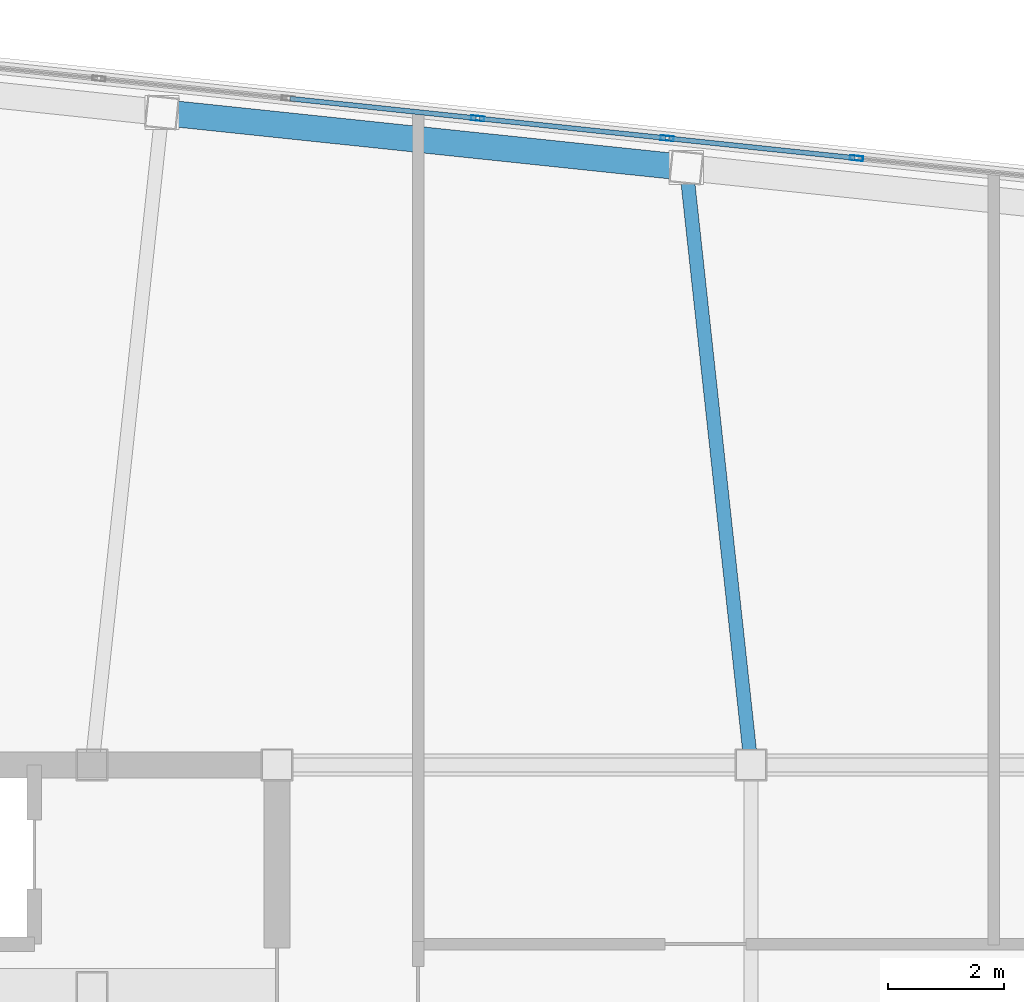
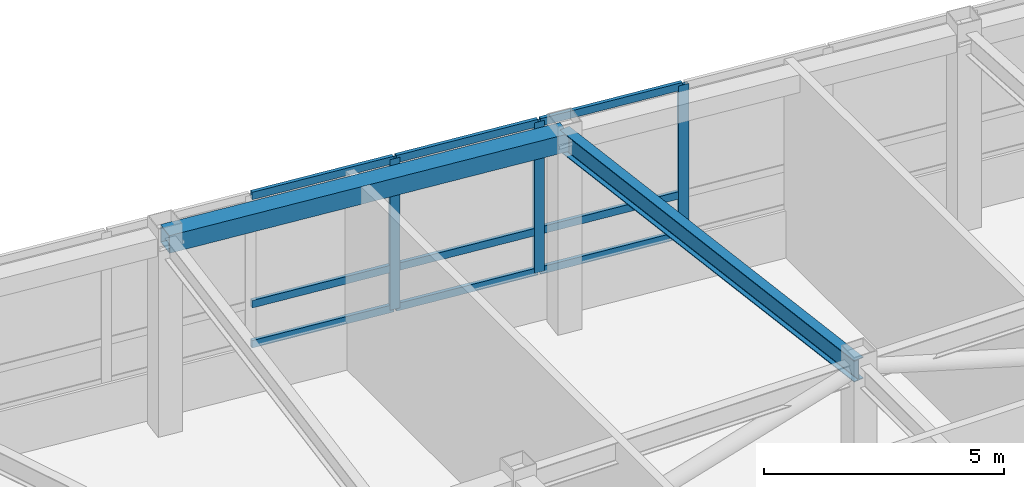
# One storey, part 15 of 23: 12 members, 2 beams, 1 element without a shape of its own.
"""IFC4 building model written with IfcOpenShell, lengths in metres."""

from ifc_helpers import new_model, si_unit, direction, frame, origin, origin_2d, place, context, subcontext, project, spatial, hollow_rectangle, i_section, extrude, material, layer, layer_set, material_profile, profile_set, type_object, element, aggregate, save


model = new_model("IFC4")

# Units and contexts
model_context = context("Model", 3, precision=1e-05, world=origin(), true_north=direction((0.0, 1.0)))
body_context = subcontext(model_context, "Body", "Model", "MODEL_VIEW")
ifc_project = project(units=[si_unit("LENGTHUNIT", "METRE"), si_unit("AREAUNIT", "SQUARE_METRE"), si_unit("VOLUMEUNIT", "CUBIC_METRE"), si_unit("PLANEANGLEUNIT", "RADIAN"), si_unit("MASSUNIT", "GRAM", prefix="KILO")], contexts=[model_context])

# Site, building, storey
site_placement = place(None, origin())
site = spatial("IfcSite", under=ifc_project, at=site_placement, CompositionType="ELEMENT")
building_placement = place(site_placement, origin())
building = spatial("IfcBuilding", under=site, at=building_placement, Name="Voryun Gate Residences", CompositionType="ELEMENT")
storey_placement = place(building_placement, frame((0.0, 0.0, 331.89990234375)))
storey = spatial("IfcBuildingStorey", under=building, at=storey_placement, Name="L81", CompositionType="ELEMENT", Elevation=331.89990234375)

# Beams
ifc_material_1 = material(Name="Steel SM355", Category="steel")
ifc_material_profile_1 = material_profile(ifc_material_1, hollow_rectangle(XDim=0.449951171875, YDim=0.449951171875, WallThickness=0.01806640625, at=origin_2d()), Name="BOX-450x450x18")
ifc_profile_set_1 = profile_set([ifc_material_profile_1], Name="Steel SM355")
beam_type_1 = type_object("IfcBeamType", Name="BM_CROWN_RING", PredefinedType="BEAM", material=ifc_profile_set_1)
beam_1_placement = place(storey_placement, frame((-5.321533203125, 17.731689453125, 4.800048828125), z_axis=(-0.994523919568, 0.104509202498, 0.0), x_axis=(-0.104509202498, -0.994523919568, 0.0)))
element("IfcBeam", 1, at=beam_1_placement, inside=storey, type_object=beam_type_1, Name="BM-L81-SPAND-14", PredefinedType="BEAM", context=body_context, shape_type="SweptSolid", body=[
    extrude(hollow_rectangle(XDim=0.449951171875, YDim=0.449951171875, WallThickness=0.01806640625, at=origin_2d()), origin(), (0.0, 0.0, 1.0), 9.1201171875),
])
ifc_material_2 = material(Name="Steel SM355", Category="steel")
ifc_material_profile_2 = material_profile(ifc_material_2, i_section(OverallWidth=0.239990234375, OverallDepth=0.550048828125, WebThickness=0.011962890625, FlangeThickness=0.02001953125, FilletRadius=0.01806640625, at=origin_2d()), Name="H-550x240x12x20")
ifc_profile_set_2 = profile_set([ifc_material_profile_2], Name="Steel SM355")
beam_type_2 = type_object("IfcBeamType", Name="BM_GIRD_550", PredefinedType="USERDEFINED", material=ifc_profile_set_2)
beam_2_placement = place(storey_placement, frame((-4.199951171875, 7.39990234375, 4.75), z_axis=(-0.107922397085, 0.99415932134, 0.0), x_axis=(-0.99415932134, -0.107922397085, 0.0)))
element("IfcBeam", 2, at=beam_2_placement, inside=storey, type_object=beam_type_2, Name="BM-L81-RAD-N4", ObjectType="GIRDER", PredefinedType="USERDEFINED", context=body_context, shape_type="SweptSolid", body=[
    extrude(i_section(OverallWidth=0.239990234375, OverallDepth=0.550048828125, WebThickness=0.011962890625, FlangeThickness=0.02001953125, FilletRadius=0.01806640625, at=origin_2d()), origin(), (0.0, 0.0, 1.0), 10.392578125),
])

# Curtain wall, members
ifc_material_3 = material(Name="Anodised aluminium", Category="aluminium")
ifc_layer = layer(ifc_material_3, 0.22998046875, Name="CW_SYS_LANTERN_DARK_GLASS")
ifc_layer_set = layer_set([ifc_layer], Name="Anodised aluminium")
curtain_wall_type = type_object("IfcCurtainWallType", Name="CW_SYS_LANTERN_DARK_GLASS", PredefinedType="NOTDEFINED", material=ifc_layer_set)
curtain_wall_placement = place(storey_placement, origin())
curtain_wall = element("IfcCurtainWall", 3, at=curtain_wall_placement, inside=storey, type_object=curtain_wall_type, Name="Curtain wall CW6-L81-11", PredefinedType="NOTDEFINED")
ifc_material_4 = material(Name="Anodised aluminium", Category="aluminium")
ifc_material_profile_3 = material_profile(ifc_material_4, hollow_rectangle(XDim=0.0849609375, YDim=0.22998046875, WallThickness=0.006103515625, at=origin_2d()), Name="ALU-MULL-230x85x6")
ifc_profile_set_3 = profile_set([ifc_material_profile_3], Name="Anodised aluminium")
member_type_1 = type_object("IfcMemberType", Name="CW_MULL_LANT", PredefinedType="MULLION", material=ifc_profile_set_3)
member_1_placement = place(storey_placement, frame((-8.928955078125, 18.583251953125, 1.190185546875), z_axis=(0.0, 0.0, 1.0), x_axis=(0.10452775858, 0.994521969434, 0.0)))
member_1 = element("IfcMember", 4, at=member_1_placement, type_object=member_type_1, Name="CW6 mullion 5", PredefinedType="MULLION", context=body_context, shape_type="SweptSolid", body=[
    extrude(hollow_rectangle(XDim=0.0849609375, YDim=0.22998046875, WallThickness=0.006103515625, at=origin_2d()), origin(), (0.0, 0.0, 1.0), 3.8349609375),
])
member_2_placement = place(storey_placement, frame((-5.65234375, 18.239013671875, 1.190185546875), z_axis=(0.0, 0.0, 1.0), x_axis=(0.10452775858, 0.994521969434, 0.0)))
member_2 = element("IfcMember", 5, at=member_2_placement, type_object=member_type_1, Name="CW6 mullion 6", PredefinedType="MULLION", context=body_context, shape_type="SweptSolid", body=[
    extrude(hollow_rectangle(XDim=0.0849609375, YDim=0.22998046875, WallThickness=0.006103515625, at=origin_2d()), origin(), (0.0, 0.0, 1.0), 3.8349609375),
])
member_3_placement = place(storey_placement, frame((-2.375732421875, 17.89453125, 1.190185546875), z_axis=(0.0, 0.0, 1.0), x_axis=(0.10452775858, 0.994521969434, 0.0)))
member_3 = element("IfcMember", 6, at=member_3_placement, type_object=member_type_1, Name="CW6 mullion 7", PredefinedType="MULLION", context=body_context, shape_type="SweptSolid", body=[
    extrude(hollow_rectangle(XDim=0.0849609375, YDim=0.22998046875, WallThickness=0.006103515625, at=origin_2d()), origin(), (0.0, 0.0, 1.0), 3.8349609375),
])
ifc_material_5 = material(Name="Anodised aluminium", Category="aluminium")
ifc_material_profile_4 = material_profile(ifc_material_5, hollow_rectangle(XDim=0.0849609375, YDim=0.18994140625, WallThickness=0.006103515625, at=origin_2d()), Name="ALU-TRAN-190x85x6")
ifc_profile_set_4 = profile_set([ifc_material_profile_4], Name="Anodised aluminium")
member_type_2 = type_object("IfcMemberType", Name="CW_TRAN_LANT", PredefinedType="USERDEFINED", material=ifc_profile_set_4)
member_4_placement = place(storey_placement, frame((-12.17578125, 18.924560546875, 1.22021484375), z_axis=(0.994521569819, -0.104531560613, 0.0), x_axis=(0.104531560613, 0.994521569819, 0.0)))
member_4 = element("IfcMember", 7, at=member_4_placement, type_object=member_type_2, Name="CW6 transom 4.1", ObjectType="TRANSOM", PredefinedType="USERDEFINED", context=body_context, shape_type="SweptSolid", body=[
    extrude(hollow_rectangle(XDim=0.0849609375, YDim=0.18994140625, WallThickness=0.006103515625, at=origin_2d()), origin(), (0.0, 0.0, 1.0), 3.23486328125),
])
member_5_placement = place(storey_placement, frame((-12.17578125, 18.924560546875, 2.239990234375), z_axis=(0.994521569819, -0.104531560613, 0.0), x_axis=(0.104531560613, 0.994521569819, 0.0)))
member_5 = element("IfcMember", 8, at=member_5_placement, type_object=member_type_2, Name="CW6 transom 4.2", ObjectType="TRANSOM", PredefinedType="USERDEFINED", context=body_context, shape_type="SweptSolid", body=[
    extrude(hollow_rectangle(XDim=0.0849609375, YDim=0.18994140625, WallThickness=0.006103515625, at=origin_2d()), origin(), (0.0, 0.0, 1.0), 3.23486328125),
])
member_6_placement = place(storey_placement, frame((-12.17578125, 18.924560546875, 4.9951171875), z_axis=(0.994521569819, -0.104531560613, 0.0), x_axis=(0.104531560613, 0.994521569819, 0.0)))
member_6 = element("IfcMember", 9, at=member_6_placement, type_object=member_type_2, Name="CW6 transom 4.3", ObjectType="TRANSOM", PredefinedType="USERDEFINED", context=body_context, shape_type="SweptSolid", body=[
    extrude(hollow_rectangle(XDim=0.0849609375, YDim=0.18994140625, WallThickness=0.006103515625, at=origin_2d()), origin(), (0.0, 0.0, 1.0), 3.23486328125),
])
member_7_placement = place(storey_placement, frame((-8.899169921875, 18.580322265625, 1.22021484375), z_axis=(0.994521569819, -0.104531560613, 0.0), x_axis=(0.104531560613, 0.994521569819, 0.0)))
member_7 = element("IfcMember", 10, at=member_7_placement, type_object=member_type_2, Name="CW6 transom 5.1", ObjectType="TRANSOM", PredefinedType="USERDEFINED", context=body_context, shape_type="SweptSolid", body=[
    extrude(hollow_rectangle(XDim=0.0849609375, YDim=0.18994140625, WallThickness=0.006103515625, at=origin_2d()), origin(), (0.0, 0.0, 1.0), 3.23486328125),
])
member_8_placement = place(storey_placement, frame((-8.899169921875, 18.580322265625, 2.239990234375), z_axis=(0.994521569819, -0.104531560613, 0.0), x_axis=(0.104531560613, 0.994521569819, 0.0)))
member_8 = element("IfcMember", 11, at=member_8_placement, type_object=member_type_2, Name="CW6 transom 5.2", ObjectType="TRANSOM", PredefinedType="USERDEFINED", context=body_context, shape_type="SweptSolid", body=[
    extrude(hollow_rectangle(XDim=0.0849609375, YDim=0.18994140625, WallThickness=0.006103515625, at=origin_2d()), origin(), (0.0, 0.0, 1.0), 3.23486328125),
])
member_9_placement = place(storey_placement, frame((-8.899169921875, 18.580322265625, 4.9951171875), z_axis=(0.994521569819, -0.104531560613, 0.0), x_axis=(0.104531560613, 0.994521569819, 0.0)))
member_9 = element("IfcMember", 12, at=member_9_placement, type_object=member_type_2, Name="CW6 transom 5.3", ObjectType="TRANSOM", PredefinedType="USERDEFINED", context=body_context, shape_type="SweptSolid", body=[
    extrude(hollow_rectangle(XDim=0.0849609375, YDim=0.18994140625, WallThickness=0.006103515625, at=origin_2d()), origin(), (0.0, 0.0, 1.0), 3.23486328125),
])
member_10_placement = place(storey_placement, frame((-5.62255859375, 18.23583984375, 1.22021484375), z_axis=(0.994521569819, -0.104531560613, 0.0), x_axis=(0.104531560613, 0.994521569819, 0.0)))
member_10 = element("IfcMember", 13, at=member_10_placement, type_object=member_type_2, Name="CW6 transom 6.1", ObjectType="TRANSOM", PredefinedType="USERDEFINED", context=body_context, shape_type="SweptSolid", body=[
    extrude(hollow_rectangle(XDim=0.0849609375, YDim=0.18994140625, WallThickness=0.006103515625, at=origin_2d()), origin(), (0.0, 0.0, 1.0), 3.23486328125),
])
member_11_placement = place(storey_placement, frame((-5.62255859375, 18.23583984375, 2.239990234375), z_axis=(0.994521569819, -0.104531560613, 0.0), x_axis=(0.104531560613, 0.994521569819, 0.0)))
member_11 = element("IfcMember", 14, at=member_11_placement, type_object=member_type_2, Name="CW6 transom 6.2", ObjectType="TRANSOM", PredefinedType="USERDEFINED", context=body_context, shape_type="SweptSolid", body=[
    extrude(hollow_rectangle(XDim=0.0849609375, YDim=0.18994140625, WallThickness=0.006103515625, at=origin_2d()), origin(), (0.0, 0.0, 1.0), 3.23486328125),
])
member_12_placement = place(storey_placement, frame((-5.62255859375, 18.23583984375, 4.9951171875), z_axis=(0.994521569819, -0.104531560613, 0.0), x_axis=(0.104531560613, 0.994521569819, 0.0)))
member_12 = element("IfcMember", 15, at=member_12_placement, type_object=member_type_2, Name="CW6 transom 6.3", ObjectType="TRANSOM", PredefinedType="USERDEFINED", context=body_context, shape_type="SweptSolid", body=[
    extrude(hollow_rectangle(XDim=0.0849609375, YDim=0.18994140625, WallThickness=0.006103515625, at=origin_2d()), origin(), (0.0, 0.0, 1.0), 3.23486328125),
])
aggregate(curtain_wall, [member_1, member_2, member_3, member_4, member_5, member_6, member_7, member_8, member_9, member_10, member_11, member_12])

save(model, "model.ifc")
